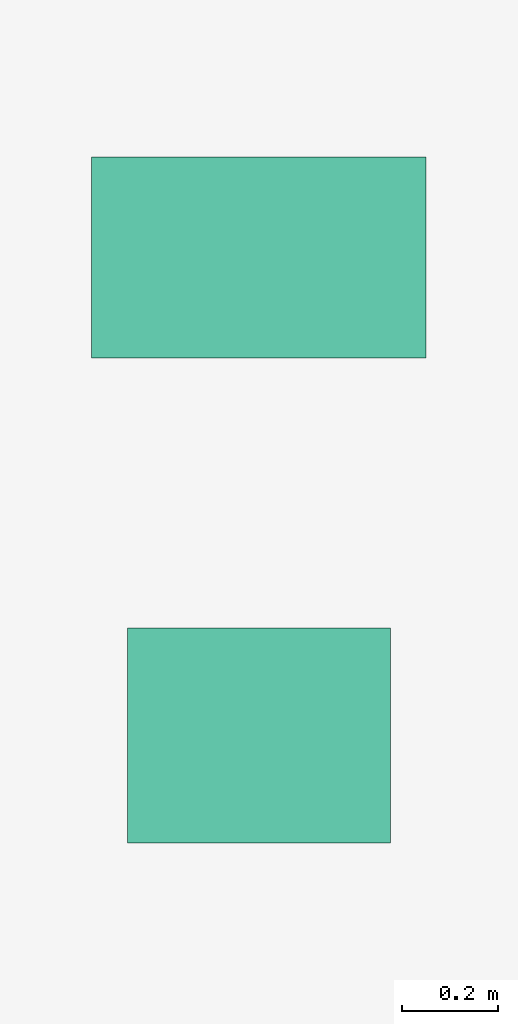
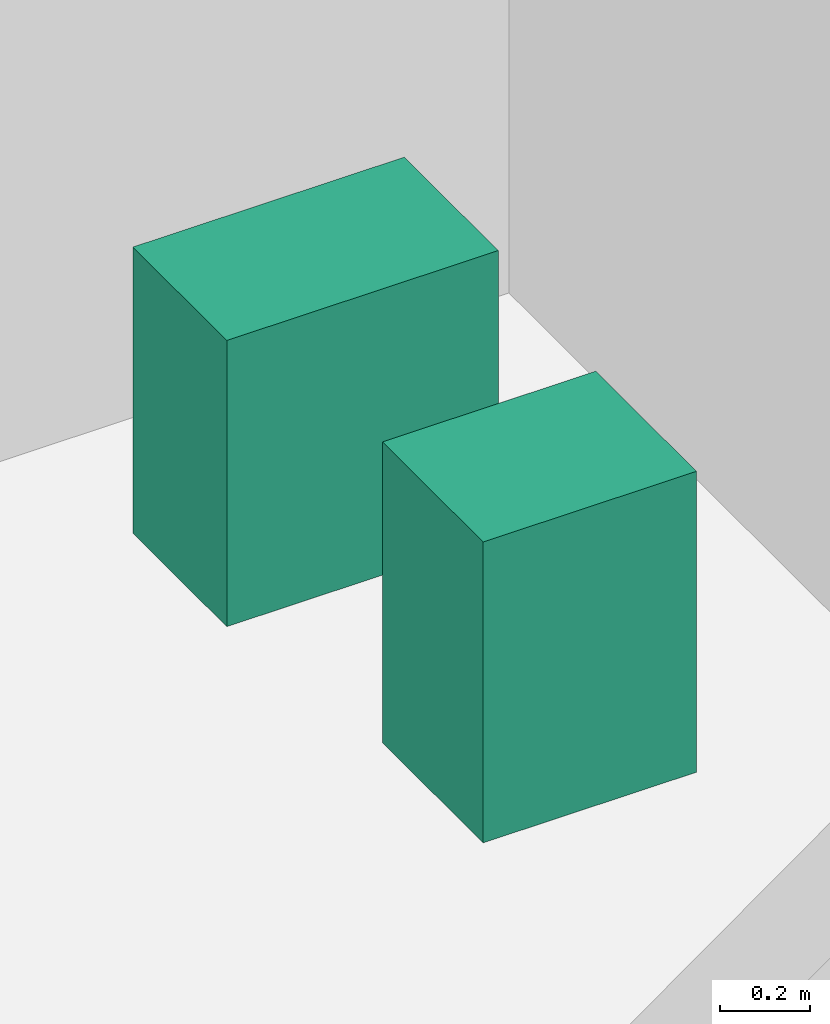
# One storey, part 28 of 28: 2 sanitary terminals.
"""IFC4 building model written with IfcOpenShell, lengths in metres."""

from ifc_helpers import new_model, si_unit, direction, frame, origin, origin_2d, place, context, subcontext, project, spatial, rectangle, extrude, source, transform, mapped, material, type_object, element, save


model = new_model("IFC4")

# Units and contexts
model_context = context("Model", 3, precision=1e-05, world=origin(), true_north=direction((0.0, 1.0)))
body_context = subcontext(model_context, "Body", "Model", "MODEL_VIEW")
ifc_project = project(units=[si_unit("LENGTHUNIT", "METRE"), si_unit("AREAUNIT", "SQUARE_METRE"), si_unit("VOLUMEUNIT", "CUBIC_METRE"), si_unit("PLANEANGLEUNIT", "RADIAN"), si_unit("MASSUNIT", "GRAM", prefix="KILO")], contexts=[model_context])

# Site, building, storey
site_placement = place(None, origin())
site = spatial("IfcSite", under=ifc_project, at=site_placement, CompositionType="ELEMENT")
building_placement = place(site_placement, origin())
building = spatial("IfcBuilding", under=site, at=building_placement, Name="Sumidabori Civic Tower", CompositionType="ELEMENT")
storey_placement = place(building_placement, frame((0.0, 0.0, 185.60009765625)))
storey = spatial("IfcBuildingStorey", under=building, at=storey_placement, Name="L48", CompositionType="ELEMENT", Elevation=185.60009765625)

# Sanitary terminals
ifc_material = material(Name="Vitreous Sanitary Porcelain")
sanitary_terminal_type_1 = type_object("IfcSanitaryTerminalType", Name="SN-WC-1", PredefinedType="TOILETPAN", material=ifc_material)
shared_shape_1 = source(origin(), body_context, "Body", "SweptSolid", [
    extrude(rectangle(XDim=0.699951171875, YDim=0.419921875, at=origin_2d()), origin(), (0.0, 0.0, 1.0), 0.780029296875),
])
sanitary_terminal_1_placement = place(storey_placement, frame((10.800048828125, 21.85009765625, 0.0), z_axis=(0.0, 0.0, 1.0), x_axis=(1.0, 0.0, 0.0)))
element("IfcSanitaryTerminal", 1, at=sanitary_terminal_1_placement, inside=storey, type_object=sanitary_terminal_type_1, Name="Accessible WC Pan L48", PredefinedType="TOILETPAN", context=body_context, shape_type="MappedRepresentation", body=[
    mapped(shared_shape_1, transform((0.0, 0.0, 0.0), x_axis=(1.0, 0.0, 0.0), y_axis=(0.0, 1.0, 0.0), z_axis=(0.0, 0.0, 1.0), scale=1.0)),
])
sanitary_terminal_type_2 = type_object("IfcSanitaryTerminalType", Name="SN-BAS-1", PredefinedType="WASHHANDBASIN", material=ifc_material)
shared_shape_2 = source(origin(), body_context, "Body", "SweptSolid", [
    extrude(rectangle(XDim=0.550048828125, YDim=0.449951171875, at=origin_2d()), origin(), (0.0, 0.0, 1.0), 0.820068359375),
])
sanitary_terminal_2_placement = place(storey_placement, frame((10.800048828125, 20.85009765625, 0.0), z_axis=(0.0, 0.0, 1.0), x_axis=(1.0, 0.0, 0.0)))
element("IfcSanitaryTerminal", 2, at=sanitary_terminal_2_placement, inside=storey, type_object=sanitary_terminal_type_2, Name="Accessible Basin L48", PredefinedType="WASHHANDBASIN", context=body_context, shape_type="MappedRepresentation", body=[
    mapped(shared_shape_2, transform((0.0, 0.0, 0.0), x_axis=(1.0, 0.0, 0.0), y_axis=(0.0, 1.0, 0.0), z_axis=(0.0, 0.0, 1.0), scale=1.0)),
])

save(model, "model.ifc")
